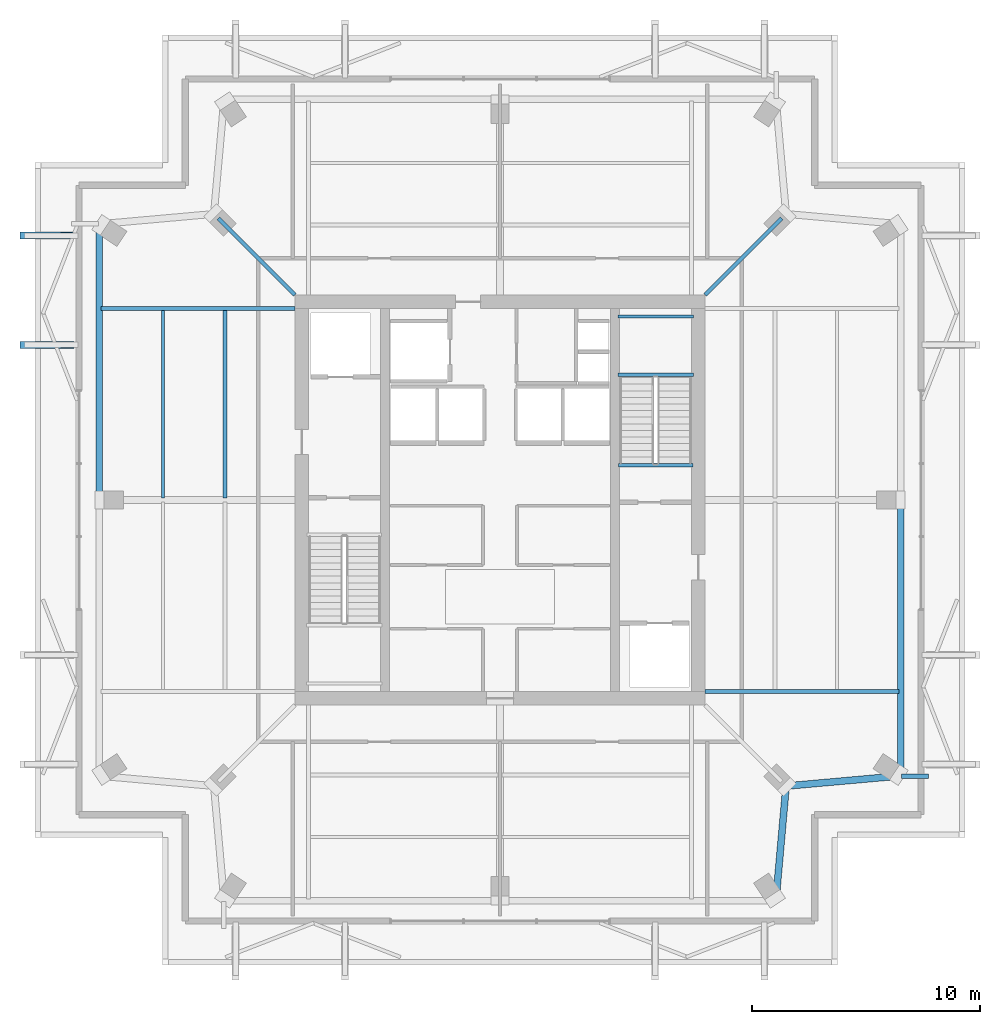
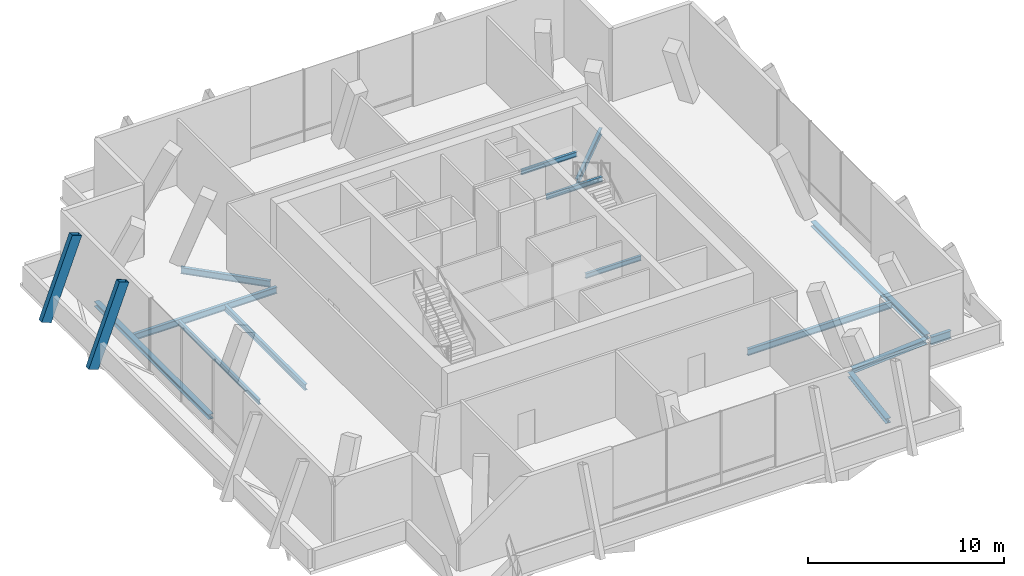
# One storey, part 9 of 18: 14 beams, 2 members.
"""IFC4 building model written with IfcOpenShell, lengths in metres."""

from ifc_helpers import new_model, si_unit, direction, frame, origin, origin_2d, place, context, subcontext, project, spatial, hollow_rectangle, i_section, extrude, material, material_profile, profile_set, type_object, element, save


model = new_model("IFC4")

# Units and contexts
model_context = context("Model", 3, precision=1e-05, world=origin(), true_north=direction((0.0, 1.0)))
body_context = subcontext(model_context, "Body", "Model", "MODEL_VIEW")
ifc_project = project(units=[si_unit("LENGTHUNIT", "METRE"), si_unit("AREAUNIT", "SQUARE_METRE"), si_unit("VOLUMEUNIT", "CUBIC_METRE"), si_unit("PLANEANGLEUNIT", "RADIAN"), si_unit("MASSUNIT", "GRAM", prefix="KILO")], contexts=[model_context])

# Site, building, storey
site_placement = place(None, origin())
site = spatial("IfcSite", under=ifc_project, at=site_placement, CompositionType="ELEMENT")
building_placement = place(site_placement, origin())
building = spatial("IfcBuilding", under=site, at=building_placement, Name="Belovzor Exchange Tower", CompositionType="ELEMENT")
storey_placement = place(building_placement, frame((0.0, 0.0, 369.0)))
storey = spatial("IfcBuildingStorey", under=building, at=storey_placement, Name="L92", CompositionType="ELEMENT", Elevation=369.0)

# Beams
ifc_material_1 = material(Name="Steel S355", Category="steel")
ifc_material_profile_1 = material_profile(ifc_material_1, i_section(OverallWidth=0.300048828125, OverallDepth=0.300048828125, WebThickness=0.010986328125, FlangeThickness=0.01904296875, at=origin_2d()))
ifc_profile_set_1 = profile_set([ifc_material_profile_1], Name="Steel S355")
beam_type_1 = type_object("IfcBeamType", Name="Crown Plant Primary Beam HEB 300", PredefinedType="BEAM", material=ifc_profile_set_1)
beam_1_placement = place(storey_placement, frame((40.919921875, 11.43896484375, -0.449951171875), z_axis=(0.088964773179, 0.996034773054, 0.0), x_axis=(-0.996034773054, 0.088964773179, 0.0)))
element("IfcBeam", 1, at=beam_1_placement, inside=storey, type_object=beam_type_1, Name="FG-CR Crown Plant Primary Beam HEB 300", PredefinedType="BEAM", context=body_context, shape_type="SweptSolid", body=[
    extrude(i_section(OverallWidth=0.300048828125, OverallDepth=0.300048828125, WebThickness=0.010986328125, FlangeThickness=0.01904296875, at=origin_2d()), origin(), (0.0, 0.0, 1.0), 4.6103515625),
])
beam_2_placement = place(storey_placement, frame((41.569091796875, 16.27001953125, -0.449951171875), z_axis=(0.996039045493, 0.0889169267, 0.0), x_axis=(-0.0889169267, 0.996039045493, 0.0)))
element("IfcBeam", 2, at=beam_2_placement, inside=storey, type_object=beam_type_1, Name="FG-CR Crown Plant Primary Beam HEB 300", PredefinedType="BEAM", context=body_context, shape_type="SweptSolid", body=[
    extrude(i_section(OverallWidth=0.300048828125, OverallDepth=0.300048828125, WebThickness=0.010986328125, FlangeThickness=0.01904296875, at=origin_2d()), origin(), (0.0, 0.0, 1.0), 4.610107421875),
])
beam_3_placement = place(storey_placement, frame((46.3798828125, 16.919921875, -0.449951171875), z_axis=(0.0, 1.0, 0.0), x_axis=(-1.0, 0.0, 0.0)))
element("IfcBeam", 3, at=beam_3_placement, inside=storey, type_object=beam_type_1, Name="FG-CR Crown Plant Primary Beam HEB 300", PredefinedType="BEAM", context=body_context, shape_type="SweptSolid", body=[
    extrude(i_section(OverallWidth=0.300048828125, OverallDepth=0.300048828125, WebThickness=0.010986328125, FlangeThickness=0.01904296875, at=origin_2d()), origin(), (0.0, 0.0, 1.0), 11.66015625),
])
beam_4_placement = place(storey_placement, frame((11.219970703125, 40.679931640625, -0.449951171875), z_axis=(0.0, -1.0, 0.0), x_axis=(1.0, 0.0, 0.0)))
element("IfcBeam", 4, at=beam_4_placement, inside=storey, type_object=beam_type_1, Name="FG-CR Crown Plant Primary Beam HEB 300", PredefinedType="BEAM", context=body_context, shape_type="SweptSolid", body=[
    extrude(i_section(OverallWidth=0.300048828125, OverallDepth=0.300048828125, WebThickness=0.010986328125, FlangeThickness=0.01904296875, at=origin_2d()), origin(), (0.0, 0.0, 1.0), 11.659912109375),
])
ifc_material_2 = material(Name="Steel S355", Category="steel")
ifc_material_profile_2 = material_profile(ifc_material_2, i_section(OverallWidth=0.199951171875, OverallDepth=0.5, WebThickness=0.01025390625, FlangeThickness=0.01611328125, at=origin_2d()))
ifc_profile_set_2 = profile_set([ifc_material_profile_2], Name="Steel S355")
beam_type_2 = type_object("IfcBeamType", Name="Planted Balcony Cantilever Beam IPE 500", PredefinedType="BEAM", material=ifc_profile_set_2)
beam_5_placement = place(storey_placement, frame((46.419921875, 16.677978515625, -0.550048828125), z_axis=(1.0, 0.0, 0.0), x_axis=(0.0, 1.0, 0.0)))
element("IfcBeam", 5, at=beam_5_placement, inside=storey, type_object=beam_type_2, Name="BC-500 Planted Balcony Cantilever Beam IPE 500", PredefinedType="BEAM", context=body_context, shape_type="SweptSolid", body=[
    extrude(i_section(OverallWidth=0.199951171875, OverallDepth=0.5, WebThickness=0.01025390625, FlangeThickness=0.01611328125, at=origin_2d()), origin(), (0.0, 0.0, 1.0), 1.18017578125),
])
ifc_material_3 = material(Name="Steel S355", Category="steel")
ifc_material_profile_3 = material_profile(ifc_material_3, i_section(OverallWidth=0.169921875, OverallDepth=0.360107421875, WebThickness=0.008056640625, FlangeThickness=0.0126953125, at=origin_2d()))
ifc_profile_set_3 = profile_set([ifc_material_profile_3], Name="Steel S355")
beam_type_3 = type_object("IfcBeamType", Name="Secondary Infill Floor Joist IPE 360", PredefinedType="BEAM", material=ifc_profile_set_3)
beam_6_placement = place(storey_placement, frame((16.738037109375, 28.889892578125, -0.47998046875), z_axis=(0.0, 1.0, 0.0), x_axis=(-1.0, 0.0, 0.0)))
element("IfcBeam", 6, at=beam_6_placement, inside=storey, type_object=beam_type_3, Name="FJ-360 Secondary Infill Floor Joist IPE 360", PredefinedType="BEAM", context=body_context, shape_type="SweptSolid", body=[
    extrude(i_section(OverallWidth=0.169921875, OverallDepth=0.360107421875, WebThickness=0.008056640625, FlangeThickness=0.0126953125, at=origin_2d()), origin(), (0.0, 0.0, 1.0), 8.22021484375),
])
ifc_material_4 = material(Name="Steel S355", Category="steel")
ifc_material_profile_4 = material_profile(ifc_material_4, i_section(OverallWidth=0.14990234375, OverallDepth=0.300048828125, WebThickness=0.007080078125, FlangeThickness=0.0107421875, at=origin_2d()))
ifc_profile_set_4 = profile_set([ifc_material_profile_4], Name="Steel S355")
beam_type_4 = type_object("IfcBeamType", Name="Secondary Trim Floor Joist IPE 300", PredefinedType="BEAM", material=ifc_profile_set_4)
for number, where, z_axis, x_axis, name in (
    (7, (37.280029296875, 34.2900390625, 2.050048828125), (-1.0, 0.0, 0.0), (0.0, -1.0, 0.0), "FJ-300 Secondary Trim Floor Joist IPE 300"),
    (8, (37.280029296875, 36.85009765625, 2.050048828125), (-1.0, 0.0, 0.0), (0.0, -1.0, 0.0), "FJ-300 Secondary Trim Floor Joist IPE 300"),
):
    element("IfcBeam", number, at=place(storey_placement, frame(where, z_axis=z_axis, x_axis=x_axis)), inside=storey, type_object=beam_type_4, Name=name, PredefinedType="BEAM", context=body_context, shape_type="SweptSolid", body=[
        extrude(i_section(OverallWidth=0.14990234375, OverallDepth=0.300048828125, WebThickness=0.007080078125, FlangeThickness=0.0107421875, at=origin_2d()), origin(), (0.0, 0.0, 1.0), 3.31005859375),
    ])
beam_7_placement = place(storey_placement, frame((37.260009765625, 30.320068359375, -0.449951171875), z_axis=(-1.0, 0.0, 0.0), x_axis=(0.0, -1.0, 0.0)))
element("IfcBeam", 9, at=beam_7_placement, inside=storey, type_object=beam_type_4, Name="FJ-300 Secondary Trim Floor Joist IPE 300", PredefinedType="BEAM", context=body_context, shape_type="SweptSolid", body=[
    extrude(i_section(OverallWidth=0.14990234375, OverallDepth=0.300048828125, WebThickness=0.007080078125, FlangeThickness=0.0107421875, at=origin_2d()), origin(), (0.0, 0.0, 1.0), 3.27001953125),
])
beam_8_placement = place(storey_placement, frame((14.01708984375, 28.889892578125, -0.449951171875), z_axis=(0.0, 1.0, 0.0), x_axis=(-1.0, 0.0, 0.0)))
element("IfcBeam", 10, at=beam_8_placement, inside=storey, type_object=beam_type_4, Name="FJ-300 Secondary Trim Floor Joist IPE 300", PredefinedType="BEAM", context=body_context, shape_type="SweptSolid", body=[
    extrude(i_section(OverallWidth=0.14990234375, OverallDepth=0.300048828125, WebThickness=0.007080078125, FlangeThickness=0.0107421875, at=origin_2d()), origin(), (0.0, 0.0, 1.0), 8.22021484375),
])

# Members
ifc_material_5 = material(Name="Extruded Architectural Terracotta on Steel S355 Carrier", Category="masonry")
ifc_material_profile_5 = material_profile(ifc_material_5, hollow_rectangle(XDim=0.300048828125, YDim=0.60009765625, WallThickness=0.01611328125, at=origin_2d()))
ifc_profile_set_5 = profile_set([ifc_material_profile_5], Name="Extruded Architectural Terracotta on Steel S355 Carrier")
member_type = type_object("IfcMemberType", Name="Upper Crown Terracotta Fin Assembly 550", PredefinedType="USERDEFINED", material=ifc_profile_set_5)
for number, where, z_axis, x_axis, name in (
    (11, (8.02490234375, 35.60009765625, -0.300048828125), (0.351128660605, 0.0, 0.936327220421), (0.0, 1.0, 0.0), "FIN-TC055 Terracotta Facade Fin L92 W3"),
    (12, (8.02490234375, 40.39990234375, -0.300048828125), (0.351128660605, 0.0, 0.936327220421), (0.0, 1.0, 0.0), "FIN-TC055 Terracotta Facade Fin L92 W4"),
):
    element("IfcMember", number, at=place(storey_placement, frame(where, z_axis=z_axis, x_axis=x_axis)), inside=storey, type_object=member_type, Name=name, ObjectType="FIN", PredefinedType="USERDEFINED", context=body_context, shape_type="SweptSolid", body=[
        extrude(hollow_rectangle(XDim=0.300048828125, YDim=0.60009765625, WallThickness=0.01611328125, at=origin_2d()), origin(), (0.0, 0.0, 1.0), 5.12646484375),
    ])

# Beams
ifc_material_6 = material(Name="Steel S355", Category="steel")
ifc_material_profile_6 = material_profile(ifc_material_6, i_section(OverallWidth=0.179931640625, OverallDepth=0.39990234375, WebThickness=0.008544921875, FlangeThickness=0.013427734375, at=origin_2d()))
ifc_profile_set_6 = profile_set([ifc_material_profile_6], Name="Steel S355")
beam_type_5 = type_object("IfcBeamType", Name="Zone 5-6 Radial Composite Floor Beam IPE 400", PredefinedType="BEAM", material=ifc_profile_set_6)
beam_9_placement = place(storey_placement, frame((19.800048828125, 37.199951171875, -0.5), z_axis=(-1.0, 0.0, 0.0), x_axis=(0.0, -1.0, 0.0)))
element("IfcBeam", 13, at=beam_9_placement, inside=storey, type_object=beam_type_5, Name="FB-400 Zone 5-6 Radial Composite Floor Beam IPE 400", PredefinedType="BEAM", context=body_context, shape_type="SweptSolid", body=[
    extrude(i_section(OverallWidth=0.179931640625, OverallDepth=0.39990234375, WebThickness=0.008544921875, FlangeThickness=0.013427734375, at=origin_2d()), origin(), (0.0, 0.0, 1.0), 8.505126953125),
])
beam_10_placement = place(storey_placement, frame((37.800048828125, 20.39990234375, -0.5), z_axis=(1.0, 0.0, 0.0), x_axis=(0.0, 1.0, 0.0)))
element("IfcBeam", 14, at=beam_10_placement, inside=storey, type_object=beam_type_5, Name="FB-400 Zone 5-6 Radial Composite Floor Beam IPE 400", PredefinedType="BEAM", context=body_context, shape_type="SweptSolid", body=[
    extrude(i_section(OverallWidth=0.179931640625, OverallDepth=0.39990234375, WebThickness=0.008544921875, FlangeThickness=0.013427734375, at=origin_2d()), origin(), (0.0, 0.0, 1.0), 8.5048828125),
])
beam_11_placement = place(storey_placement, frame((37.800048828125, 37.800048828125, -0.5), z_axis=(0.707106781187, 0.707106781187, 0.0), x_axis=(-0.707106781187, 0.707106781187, 0.0)))
element("IfcBeam", 15, at=beam_11_placement, inside=storey, type_object=beam_type_5, Name="FB-400 Zone 5-6 Radial Composite Floor Beam IPE 400", PredefinedType="BEAM", context=body_context, shape_type="SweptSolid", body=[
    extrude(i_section(OverallWidth=0.179931640625, OverallDepth=0.39990234375, WebThickness=0.008544921875, FlangeThickness=0.013427734375, at=origin_2d()), origin(), (0.0, 0.0, 1.0), 4.7373046875),
])
beam_12_placement = place(storey_placement, frame((19.800048828125, 37.800048828125, -0.5), z_axis=(-0.707132547098, 0.707081014337, 0.0), x_axis=(-0.707081014337, -0.707132547098, 0.0)))
element("IfcBeam", 16, at=beam_12_placement, inside=storey, type_object=beam_type_5, Name="FB-400 Zone 5-6 Radial Composite Floor Beam IPE 400", PredefinedType="BEAM", context=body_context, shape_type="SweptSolid", body=[
    extrude(i_section(OverallWidth=0.179931640625, OverallDepth=0.39990234375, WebThickness=0.008544921875, FlangeThickness=0.013427734375, at=origin_2d()), origin(), (0.0, 0.0, 1.0), 4.737548828125),
])

save(model, "model.ifc")
